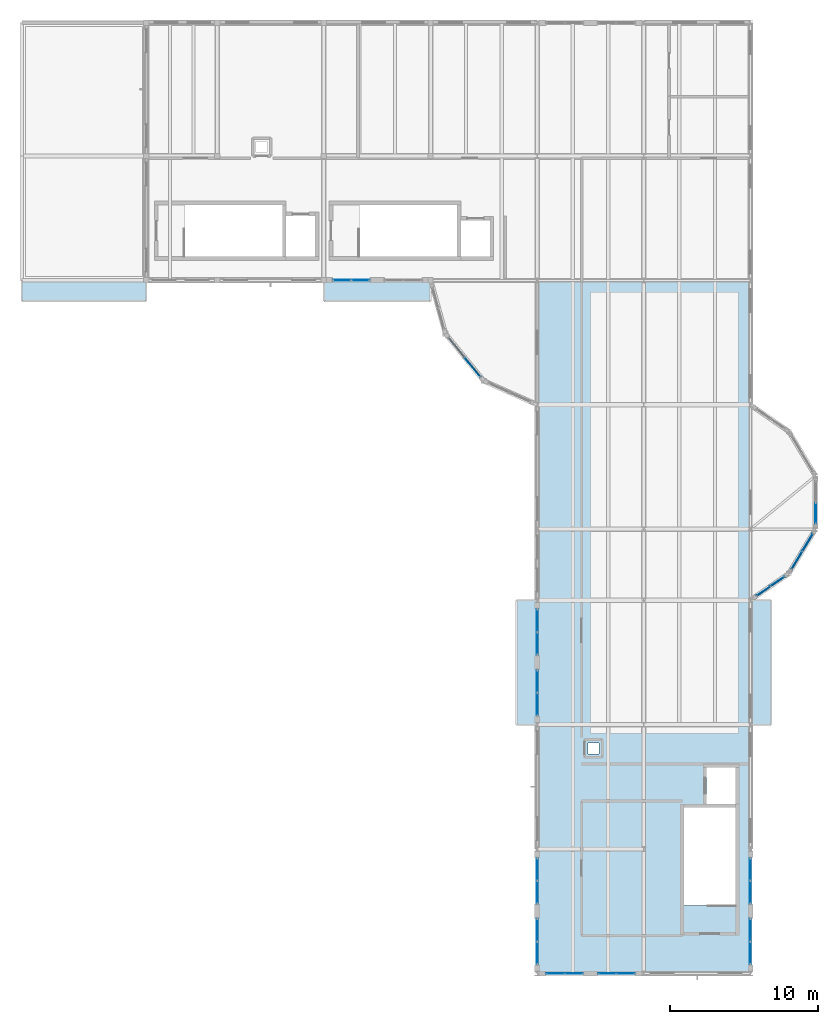
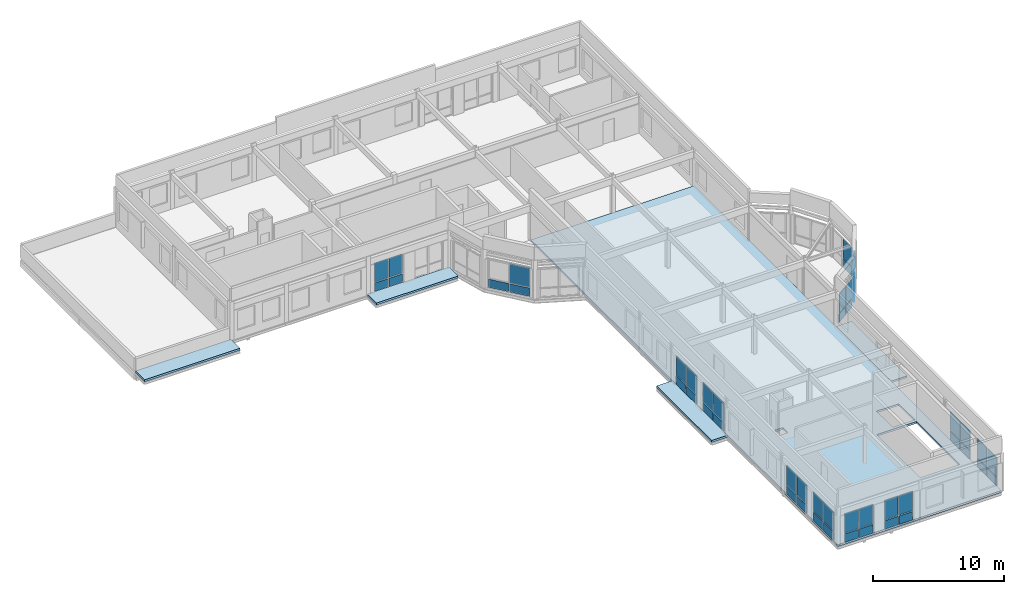
# One storey, part 14 of 21: 49 plates, 5 slabs, 13 elements without a shape of their own.
"""IFC4 building model written with IfcOpenShell, lengths in metres."""

from ifc_helpers import new_model, si_unit, direction, frame, origin, origin_2d, place, context, subcontext, project, spatial, polyline, rectangle, outline, extrude, material, layer, layer_set, type_object, element, aggregate, save


model = new_model("IFC4")

# Units and contexts
model_context = context("Model", 3, precision=1e-05, world=origin(), true_north=direction((0.0, 1.0)))
body_context = subcontext(model_context, "Body", "Model", "MODEL_VIEW")
ifc_project = project(units=[si_unit("LENGTHUNIT", "METRE"), si_unit("AREAUNIT", "SQUARE_METRE"), si_unit("VOLUMEUNIT", "CUBIC_METRE"), si_unit("PLANEANGLEUNIT", "RADIAN"), si_unit("MASSUNIT", "GRAM", prefix="KILO")], contexts=[model_context])

# Site, building, storey
site_placement = place(None, origin())
site = spatial("IfcSite", under=ifc_project, at=site_placement, CompositionType="ELEMENT")
building_placement = place(site_placement, origin())
building = spatial("IfcBuilding", under=site, at=building_placement, Name="Kahlenmark Community Centre", CompositionType="ELEMENT")
storey_placement = place(building_placement, frame((0.0, 0.0, 21.60009765625)))
storey = spatial("IfcBuildingStorey", under=building, at=storey_placement, Name="L05", CompositionType="ELEMENT", Elevation=21.60009765625)

# Curtain wall, plates
ifc_material_1 = material(Name="Anodised aluminium unitised curtain wall", Category="aluminium")
curtain_wall_type_1 = type_object("IfcCurtainWallType", Name="CWT-UNIT-232X271", PredefinedType="USERDEFINED", material=ifc_material_1)
curtain_wall_1_placement = place(storey_placement, origin())
curtain_wall_1 = element("IfcCurtainWall", 1, at=curtain_wall_1_placement, inside=storey, type_object=curtain_wall_type_1, Name="Unitised curtain wall CW-171", ObjectType="UNITISED CURTAIN WALL", PredefinedType="USERDEFINED")
ifc_material_2 = material(Name="Triple low-e solar-control glass unit", Category="glass")
ifc_layer_1 = layer(ifc_material_2, 0.0439453125)
ifc_layer_set_1 = layer_set([ifc_layer_1], Name="Triple low-e solar-control glass unit")
plate_type_1 = type_object("IfcPlateType", Name="PLT-CW-GLZ-1081X1780", PredefinedType="CURTAIN_PANEL", material=ifc_layer_set_1)
plate_1_placement = place(storey_placement, frame((87.6884765625, 76.614990234375, 0.8896484375), z_axis=(0.0, 0.0, 1.0), x_axis=(0.822190736534, 0.56921208065, 0.0)))
plate_1 = element("IfcPlate", 2, at=plate_1_placement, type_object=plate_type_1, Name="CW-171 glazed panel 1", PredefinedType="CURTAIN_PANEL", context=body_context, shape_type="SweptSolid", body=[
    extrude(rectangle(XDim=1.081298828125, YDim=0.0439453125, at=origin_2d()), origin(), (0.0, 0.0, 1.0), 1.780029296875),
])
plate_2_placement = place(storey_placement, frame((88.643310546875, 77.27587890625, 0.8896484375), z_axis=(0.0, 0.0, 1.0), x_axis=(0.822190736534, 0.56921208065, 0.0)))
plate_2 = element("IfcPlate", 3, at=plate_2_placement, type_object=plate_type_1, Name="CW-171 glazed panel 2", PredefinedType="CURTAIN_PANEL", context=body_context, shape_type="SweptSolid", body=[
    extrude(rectangle(XDim=1.081298828125, YDim=0.0439453125, at=origin_2d()), origin(), (0.0, 0.0, 1.0), 1.780029296875),
])

curtain_wall_type_2 = type_object("IfcCurtainWallType", Name="CWT-UNIT-254X271", PredefinedType="USERDEFINED", material=ifc_material_1)
curtain_wall_2_placement = place(storey_placement, origin())
curtain_wall_2 = element("IfcCurtainWall", 4, at=curtain_wall_2_placement, inside=storey, type_object=curtain_wall_type_2, Name="Unitised curtain wall CW-139", ObjectType="UNITISED CURTAIN WALL", PredefinedType="USERDEFINED")
ifc_layer_2 = layer(ifc_material_2, 0.0439453125)
ifc_layer_set_2 = layer_set([ifc_layer_2], Name="Triple low-e solar-control glass unit")
plate_type_2 = type_object("IfcPlateType", Name="PLT-CW-GLZ-1190X1780", PredefinedType="CURTAIN_PANEL", material=ifc_layer_set_2)
plate_3_placement = place(storey_placement, frame((59.215087890625, 97.60009765625, 0.8896484375), z_axis=(0.0, 0.0, 1.0), x_axis=(1.0, 0.0, 0.0)))
plate_3 = element("IfcPlate", 5, at=plate_3_placement, type_object=plate_type_2, Name="CW-139 glazed panel 1", PredefinedType="CURTAIN_PANEL", context=body_context, shape_type="SweptSolid", body=[
    extrude(rectangle(XDim=1.18994140625, YDim=0.0439453125, at=origin_2d()), origin(), (0.0, 0.0, 1.0), 1.780029296875),
])
plate_4_placement = place(storey_placement, frame((60.485107421875, 97.60009765625, 0.8896484375), z_axis=(0.0, 0.0, 1.0), x_axis=(1.0, 0.0, 0.0)))
plate_4 = element("IfcPlate", 6, at=plate_4_placement, type_object=plate_type_2, Name="CW-139 glazed panel 2", PredefinedType="CURTAIN_PANEL", context=body_context, shape_type="SweptSolid", body=[
    extrude(rectangle(XDim=1.18994140625, YDim=0.0439453125, at=origin_2d()), origin(), (0.0, 0.0, 1.0), 1.780029296875),
])

curtain_wall_3_placement = place(storey_placement, origin())
curtain_wall_3 = element("IfcCurtainWall", 7, at=curtain_wall_3_placement, inside=storey, type_object=curtain_wall_type_2, Name="Unitised curtain wall CW-143", ObjectType="UNITISED CURTAIN WALL", PredefinedType="USERDEFINED")
plate_5_placement = place(storey_placement, frame((73.614990234375, 50.800048828125, 0.8896484375), z_axis=(0.0, 0.0, 1.0), x_axis=(1.0, 0.0, 0.0)))
plate_5 = element("IfcPlate", 8, at=plate_5_placement, type_object=plate_type_2, Name="CW-143 glazed panel 1", PredefinedType="CURTAIN_PANEL", context=body_context, shape_type="SweptSolid", body=[
    extrude(rectangle(XDim=1.18994140625, YDim=0.0439453125, at=origin_2d()), origin(), (0.0, 0.0, 1.0), 1.780029296875),
])
plate_6_placement = place(storey_placement, frame((74.885009765625, 50.800048828125, 0.8896484375), z_axis=(0.0, 0.0, 1.0), x_axis=(1.0, 0.0, 0.0)))
plate_6 = element("IfcPlate", 9, at=plate_6_placement, type_object=plate_type_2, Name="CW-143 glazed panel 2", PredefinedType="CURTAIN_PANEL", context=body_context, shape_type="SweptSolid", body=[
    extrude(rectangle(XDim=1.18994140625, YDim=0.0439453125, at=origin_2d()), origin(), (0.0, 0.0, 1.0), 1.780029296875),
])

curtain_wall_4_placement = place(storey_placement, origin())
curtain_wall_4 = element("IfcCurtainWall", 10, at=curtain_wall_4_placement, inside=storey, type_object=curtain_wall_type_2, Name="Unitised curtain wall CW-144", ObjectType="UNITISED CURTAIN WALL", PredefinedType="USERDEFINED")
plate_7_placement = place(storey_placement, frame((77.114990234375, 50.800048828125, 0.8896484375), z_axis=(0.0, 0.0, 1.0), x_axis=(1.0, 0.0, 0.0)))
plate_7 = element("IfcPlate", 11, at=plate_7_placement, type_object=plate_type_2, Name="CW-144 glazed panel 1", PredefinedType="CURTAIN_PANEL", context=body_context, shape_type="SweptSolid", body=[
    extrude(rectangle(XDim=1.18994140625, YDim=0.0439453125, at=origin_2d()), origin(), (0.0, 0.0, 1.0), 1.780029296875),
])
plate_8_placement = place(storey_placement, frame((78.385009765625, 50.800048828125, 0.8896484375), z_axis=(0.0, 0.0, 1.0), x_axis=(1.0, 0.0, 0.0)))
plate_8 = element("IfcPlate", 12, at=plate_8_placement, type_object=plate_type_2, Name="CW-144 glazed panel 2", PredefinedType="CURTAIN_PANEL", context=body_context, shape_type="SweptSolid", body=[
    extrude(rectangle(XDim=1.18994140625, YDim=0.0439453125, at=origin_2d()), origin(), (0.0, 0.0, 1.0), 1.780029296875),
])

curtain_wall_type_3 = type_object("IfcCurtainWallType", Name="CWT-UNIT-282X271", PredefinedType="USERDEFINED", material=ifc_material_1)
curtain_wall_5_placement = place(storey_placement, origin())
curtain_wall_5 = element("IfcCurtainWall", 13, at=curtain_wall_5_placement, inside=storey, type_object=curtain_wall_type_3, Name="Unitised curtain wall CW-172", ObjectType="UNITISED CURTAIN WALL", PredefinedType="USERDEFINED")
ifc_layer_3 = layer(ifc_material_2, 0.0439453125)
ifc_layer_set_3 = layer_set([ifc_layer_3], Name="Triple low-e solar-control glass unit")
plate_type_3 = type_object("IfcPlateType", Name="PLT-CW-GLZ-1329X1780", PredefinedType="CURTAIN_PANEL", material=ifc_layer_set_3)
plate_9_placement = place(storey_placement, frame((89.9375, 78.69580078125, 0.8896484375), z_axis=(0.0, 0.0, 1.0), x_axis=(0.514496405972, 0.857492535386, 0.0)))
plate_9 = element("IfcPlate", 14, at=plate_9_placement, type_object=plate_type_3, Name="CW-172 glazed panel 1", PredefinedType="CURTAIN_PANEL", context=body_context, shape_type="SweptSolid", body=[
    extrude(rectangle(XDim=1.329345703125, YDim=0.0439453125, at=origin_2d()), origin(), (0.0, 0.0, 1.0), 1.780029296875),
])
plate_10_placement = place(storey_placement, frame((90.66259765625, 79.904296875, 0.8896484375), z_axis=(0.0, 0.0, 1.0), x_axis=(0.514496405972, 0.857492535386, 0.0)))
plate_10 = element("IfcPlate", 15, at=plate_10_placement, type_object=plate_type_3, Name="CW-172 glazed panel 2", PredefinedType="CURTAIN_PANEL", context=body_context, shape_type="SweptSolid", body=[
    extrude(rectangle(XDim=1.329345703125, YDim=0.0439453125, at=origin_2d()), origin(), (0.0, 0.0, 1.0), 1.780029296875),
])

# Curtain wall, plate
curtain_wall_type_4 = type_object("IfcCurtainWallType", Name="CWT-UNIT-292X271", PredefinedType="USERDEFINED", material=ifc_material_1)
curtain_wall_6_placement = place(storey_placement, origin())
curtain_wall_6 = element("IfcCurtainWall", 16, at=curtain_wall_6_placement, inside=storey, type_object=curtain_wall_type_4, Name="Unitised curtain wall CW-173", ObjectType="UNITISED CURTAIN WALL", PredefinedType="USERDEFINED")
ifc_layer_4 = layer(ifc_material_2, 0.0439453125)
ifc_layer_set_4 = layer_set([ifc_layer_4], Name="Triple low-e solar-control glass unit")
plate_type_4 = type_object("IfcPlateType", Name="PLT-CW-GLZ-1380X1780", PredefinedType="CURTAIN_PANEL", material=ifc_layer_set_4)
plate_11_placement = place(storey_placement, frame((91.199951171875, 81.8701171875, 0.8896484375), z_axis=(0.0, 0.0, 1.0), x_axis=(0.0, 1.0, 0.0)))
plate_11 = element("IfcPlate", 17, at=plate_11_placement, type_object=plate_type_4, Name="CW-173 glazed panel 1", PredefinedType="CURTAIN_PANEL", context=body_context, shape_type="SweptSolid", body=[
    extrude(rectangle(XDim=1.3798828125, YDim=0.0439453125, at=origin_2d()), origin(), (0.0, 0.0, 1.0), 1.780029296875),
])

# Curtain wall, plates
curtain_wall_type_5 = type_object("IfcCurtainWallType", Name="CWT-UNIT-314X271", PredefinedType="USERDEFINED", material=ifc_material_1)
curtain_wall_7_placement = place(storey_placement, origin())
curtain_wall_7 = element("IfcCurtainWall", 18, at=curtain_wall_7_placement, inside=storey, type_object=curtain_wall_type_5, Name="Unitised curtain wall CW-145", ObjectType="UNITISED CURTAIN WALL", PredefinedType="USERDEFINED")
ifc_layer_5 = layer(ifc_material_2, 0.0439453125)
ifc_layer_set_5 = layer_set([ifc_layer_5], Name="Triple low-e solar-control glass unit")
plate_type_5 = type_object("IfcPlateType", Name="PLT-CW-GLZ-1490X1780", PredefinedType="CURTAIN_PANEL", material=ifc_layer_set_5)
plate_12_placement = place(storey_placement, frame((72.39990234375, 57.8349609375, 0.8896484375), z_axis=(0.0, 0.0, 1.0), x_axis=(0.0, -1.0, 0.0)))
plate_12 = element("IfcPlate", 19, at=plate_12_placement, type_object=plate_type_5, Name="CW-145 glazed panel 1", PredefinedType="CURTAIN_PANEL", context=body_context, shape_type="SweptSolid", body=[
    extrude(rectangle(XDim=1.489990234375, YDim=0.0439453125, at=origin_2d()), origin(), (0.0, 0.0, 1.0), 1.780029296875),
])
plate_13_placement = place(storey_placement, frame((72.39990234375, 56.264892578125, 0.8896484375), z_axis=(0.0, 0.0, 1.0), x_axis=(0.0, -1.0, 0.0)))
plate_13 = element("IfcPlate", 20, at=plate_13_placement, type_object=plate_type_5, Name="CW-145 glazed panel 2", PredefinedType="CURTAIN_PANEL", context=body_context, shape_type="SweptSolid", body=[
    extrude(rectangle(XDim=1.489990234375, YDim=0.0439453125, at=origin_2d()), origin(), (0.0, 0.0, 1.0), 1.780029296875),
])

curtain_wall_8_placement = place(storey_placement, origin())
curtain_wall_8 = element("IfcCurtainWall", 21, at=curtain_wall_8_placement, inside=storey, type_object=curtain_wall_type_5, Name="Unitised curtain wall CW-146", ObjectType="UNITISED CURTAIN WALL", PredefinedType="USERDEFINED")
plate_14_placement = place(storey_placement, frame((72.39990234375, 53.735107421875, 0.8896484375), z_axis=(0.0, 0.0, 1.0), x_axis=(0.0, -1.0, 0.0)))
plate_14 = element("IfcPlate", 22, at=plate_14_placement, type_object=plate_type_5, Name="CW-146 glazed panel 1", PredefinedType="CURTAIN_PANEL", context=body_context, shape_type="SweptSolid", body=[
    extrude(rectangle(XDim=1.489990234375, YDim=0.0439453125, at=origin_2d()), origin(), (0.0, 0.0, 1.0), 1.780029296875),
])
plate_15_placement = place(storey_placement, frame((72.39990234375, 52.1650390625, 0.8896484375), z_axis=(0.0, 0.0, 1.0), x_axis=(0.0, -1.0, 0.0)))
plate_15 = element("IfcPlate", 23, at=plate_15_placement, type_object=plate_type_5, Name="CW-146 glazed panel 2", PredefinedType="CURTAIN_PANEL", context=body_context, shape_type="SweptSolid", body=[
    extrude(rectangle(XDim=1.489990234375, YDim=0.0439453125, at=origin_2d()), origin(), (0.0, 0.0, 1.0), 1.780029296875),
])

curtain_wall_9_placement = place(storey_placement, origin())
curtain_wall_9 = element("IfcCurtainWall", 24, at=curtain_wall_9_placement, inside=storey, type_object=curtain_wall_type_5, Name="Unitised curtain wall CW-147", ObjectType="UNITISED CURTAIN WALL", PredefinedType="USERDEFINED")
plate_16_placement = place(storey_placement, frame((72.39990234375, 74.635009765625, 0.8896484375), z_axis=(0.0, 0.0, 1.0), x_axis=(0.0, -1.0, 0.0)))
plate_16 = element("IfcPlate", 25, at=plate_16_placement, type_object=plate_type_5, Name="CW-147 glazed panel 1", PredefinedType="CURTAIN_PANEL", context=body_context, shape_type="SweptSolid", body=[
    extrude(rectangle(XDim=1.489990234375, YDim=0.0439453125, at=origin_2d()), origin(), (0.0, 0.0, 1.0), 1.780029296875),
])
plate_17_placement = place(storey_placement, frame((72.39990234375, 73.06494140625, 0.8896484375), z_axis=(0.0, 0.0, 1.0), x_axis=(0.0, -1.0, 0.0)))
plate_17 = element("IfcPlate", 26, at=plate_17_placement, type_object=plate_type_5, Name="CW-147 glazed panel 2", PredefinedType="CURTAIN_PANEL", context=body_context, shape_type="SweptSolid", body=[
    extrude(rectangle(XDim=1.489990234375, YDim=0.0439453125, at=origin_2d()), origin(), (0.0, 0.0, 1.0), 1.780029296875),
])

curtain_wall_10_placement = place(storey_placement, origin())
curtain_wall_10 = element("IfcCurtainWall", 27, at=curtain_wall_10_placement, inside=storey, type_object=curtain_wall_type_5, Name="Unitised curtain wall CW-148", ObjectType="UNITISED CURTAIN WALL", PredefinedType="USERDEFINED")
plate_18_placement = place(storey_placement, frame((72.39990234375, 70.534912109375, 0.8896484375), z_axis=(0.0, 0.0, 1.0), x_axis=(0.0, -1.0, 0.0)))
plate_18 = element("IfcPlate", 28, at=plate_18_placement, type_object=plate_type_5, Name="CW-148 glazed panel 1", PredefinedType="CURTAIN_PANEL", context=body_context, shape_type="SweptSolid", body=[
    extrude(rectangle(XDim=1.489990234375, YDim=0.0439453125, at=origin_2d()), origin(), (0.0, 0.0, 1.0), 1.780029296875),
])
plate_19_placement = place(storey_placement, frame((72.39990234375, 68.965087890625, 0.8896484375), z_axis=(0.0, 0.0, 1.0), x_axis=(0.0, -1.0, 0.0)))
plate_19 = element("IfcPlate", 29, at=plate_19_placement, type_object=plate_type_5, Name="CW-148 glazed panel 2", PredefinedType="CURTAIN_PANEL", context=body_context, shape_type="SweptSolid", body=[
    extrude(rectangle(XDim=1.489990234375, YDim=0.0439453125, at=origin_2d()), origin(), (0.0, 0.0, 1.0), 1.780029296875),
])

curtain_wall_11_placement = place(storey_placement, origin())
curtain_wall_11 = element("IfcCurtainWall", 30, at=curtain_wall_11_placement, inside=storey, type_object=curtain_wall_type_5, Name="Unitised curtain wall CW-149", ObjectType="UNITISED CURTAIN WALL", PredefinedType="USERDEFINED")
plate_20_placement = place(storey_placement, frame((86.800048828125, 52.1650390625, 0.8896484375), z_axis=(0.0, 0.0, 1.0), x_axis=(0.0, 1.0, 0.0)))
plate_20 = element("IfcPlate", 31, at=plate_20_placement, type_object=plate_type_5, Name="CW-149 glazed panel 1", PredefinedType="CURTAIN_PANEL", context=body_context, shape_type="SweptSolid", body=[
    extrude(rectangle(XDim=1.489990234375, YDim=0.0439453125, at=origin_2d()), origin(), (0.0, 0.0, 1.0), 1.780029296875),
])
plate_21_placement = place(storey_placement, frame((86.800048828125, 53.735107421875, 0.8896484375), z_axis=(0.0, 0.0, 1.0), x_axis=(0.0, 1.0, 0.0)))
plate_21 = element("IfcPlate", 32, at=plate_21_placement, type_object=plate_type_5, Name="CW-149 glazed panel 2", PredefinedType="CURTAIN_PANEL", context=body_context, shape_type="SweptSolid", body=[
    extrude(rectangle(XDim=1.489990234375, YDim=0.0439453125, at=origin_2d()), origin(), (0.0, 0.0, 1.0), 1.780029296875),
])

curtain_wall_12_placement = place(storey_placement, origin())
curtain_wall_12 = element("IfcCurtainWall", 33, at=curtain_wall_12_placement, inside=storey, type_object=curtain_wall_type_5, Name="Unitised curtain wall CW-150", ObjectType="UNITISED CURTAIN WALL", PredefinedType="USERDEFINED")
plate_22_placement = place(storey_placement, frame((86.800048828125, 56.264892578125, 0.8896484375), z_axis=(0.0, 0.0, 1.0), x_axis=(0.0, 1.0, 0.0)))
plate_22 = element("IfcPlate", 34, at=plate_22_placement, type_object=plate_type_5, Name="CW-150 glazed panel 1", PredefinedType="CURTAIN_PANEL", context=body_context, shape_type="SweptSolid", body=[
    extrude(rectangle(XDim=1.489990234375, YDim=0.0439453125, at=origin_2d()), origin(), (0.0, 0.0, 1.0), 1.780029296875),
])
plate_23_placement = place(storey_placement, frame((86.800048828125, 57.8349609375, 0.8896484375), z_axis=(0.0, 0.0, 1.0), x_axis=(0.0, 1.0, 0.0)))
plate_23 = element("IfcPlate", 35, at=plate_23_placement, type_object=plate_type_5, Name="CW-150 glazed panel 2", PredefinedType="CURTAIN_PANEL", context=body_context, shape_type="SweptSolid", body=[
    extrude(rectangle(XDim=1.489990234375, YDim=0.0439453125, at=origin_2d()), origin(), (0.0, 0.0, 1.0), 1.780029296875),
])

# Curtain wall, plate
curtain_wall_type_6 = type_object("IfcCurtainWallType", Name="CWT-UNIT-344X271", PredefinedType="USERDEFINED", material=ifc_material_1)
curtain_wall_13_placement = place(storey_placement, origin())
curtain_wall_13 = element("IfcCurtainWall", 36, at=curtain_wall_13_placement, inside=storey, type_object=curtain_wall_type_6, Name="Unitised curtain wall CW-189", ObjectType="UNITISED CURTAIN WALL", PredefinedType="USERDEFINED")
ifc_layer_6 = layer(ifc_material_2, 0.0439453125)
ifc_layer_set_6 = layer_set([ifc_layer_6], Name="Triple low-e solar-control glass unit")
plate_type_6 = type_object("IfcPlateType", Name="PLT-CW-GLZ-1642X1780", PredefinedType="CURTAIN_PANEL", material=ifc_layer_set_6)
plate_24_placement = place(storey_placement, frame((68.042724609375, 91.73193359375, 0.8896484375), z_axis=(0.0, 0.0, 1.0), x_axis=(0.63059860029, -0.776109145231, 0.0)))
plate_24 = element("IfcPlate", 37, at=plate_24_placement, type_object=plate_type_6, Name="CW-189 glazed panel 2", PredefinedType="CURTAIN_PANEL", context=body_context, shape_type="SweptSolid", body=[
    extrude(rectangle(XDim=1.6416015625, YDim=0.0439453125, at=origin_2d()), origin(), (0.0, 0.0, 1.0), 1.780029296875),
])

# Plate
ifc_material_3 = material(Name="Warm terracotta insulated spandrel cassette", Category="masonry")
ifc_layer_7 = layer(ifc_material_3, 0.06005859375)
ifc_layer_set_7 = layer_set([ifc_layer_7], Name="Warm terracotta insulated spandrel cassette")
plate_type_7 = type_object("IfcPlateType", Name="PLT-CW-SPD-1081X770", PredefinedType="CURTAIN_PANEL", material=ifc_layer_set_7)
plate_25_placement = place(storey_placement, frame((87.6884765625, 76.614990234375, 0.039794921875), z_axis=(0.0, 0.0, 1.0), x_axis=(0.822190736534, 0.56921208065, 0.0)))
plate_25 = element("IfcPlate", 38, at=plate_25_placement, type_object=plate_type_7, Name="CW-171 spandrel 1", PredefinedType="CURTAIN_PANEL", context=body_context, shape_type="SweptSolid", body=[
    extrude(rectangle(XDim=1.081298828125, YDim=0.06005859375, at=origin_2d()), origin(), (0.0, 0.0, 1.0), 0.77001953125),
])

plate_26_placement = place(storey_placement, frame((88.643310546875, 77.27587890625, 0.039794921875), z_axis=(0.0, 0.0, 1.0), x_axis=(0.822190736534, 0.56921208065, 0.0)))
plate_26 = element("IfcPlate", 39, at=plate_26_placement, type_object=plate_type_7, Name="CW-171 spandrel 2", PredefinedType="CURTAIN_PANEL", context=body_context, shape_type="SweptSolid", body=[
    extrude(rectangle(XDim=1.081298828125, YDim=0.06005859375, at=origin_2d()), origin(), (0.0, 0.0, 1.0), 0.77001953125),
])

aggregate(curtain_wall_1, [plate_25, plate_1, plate_26, plate_2])

ifc_layer_8 = layer(ifc_material_3, 0.06005859375)
ifc_layer_set_8 = layer_set([ifc_layer_8], Name="Warm terracotta insulated spandrel cassette")
plate_type_8 = type_object("IfcPlateType", Name="PLT-CW-SPD-1190X770", PredefinedType="CURTAIN_PANEL", material=ifc_layer_set_8)
plate_27_placement = place(storey_placement, frame((59.215087890625, 97.60009765625, 0.039794921875), z_axis=(0.0, 0.0, 1.0), x_axis=(1.0, 0.0, 0.0)))
plate_27 = element("IfcPlate", 40, at=plate_27_placement, type_object=plate_type_8, Name="CW-139 spandrel 1", PredefinedType="CURTAIN_PANEL", context=body_context, shape_type="SweptSolid", body=[
    extrude(rectangle(XDim=1.18994140625, YDim=0.06005859375, at=origin_2d()), origin(), (0.0, 0.0, 1.0), 0.77001953125),
])

plate_28_placement = place(storey_placement, frame((60.485107421875, 97.60009765625, 0.039794921875), z_axis=(0.0, 0.0, 1.0), x_axis=(1.0, 0.0, 0.0)))
plate_28 = element("IfcPlate", 41, at=plate_28_placement, type_object=plate_type_8, Name="CW-139 spandrel 2", PredefinedType="CURTAIN_PANEL", context=body_context, shape_type="SweptSolid", body=[
    extrude(rectangle(XDim=1.18994140625, YDim=0.06005859375, at=origin_2d()), origin(), (0.0, 0.0, 1.0), 0.77001953125),
])

aggregate(curtain_wall_2, [plate_27, plate_3, plate_28, plate_4])

plate_29_placement = place(storey_placement, frame((73.614990234375, 50.800048828125, 0.039794921875), z_axis=(0.0, 0.0, 1.0), x_axis=(1.0, 0.0, 0.0)))
plate_29 = element("IfcPlate", 42, at=plate_29_placement, type_object=plate_type_8, Name="CW-143 spandrel 1", PredefinedType="CURTAIN_PANEL", context=body_context, shape_type="SweptSolid", body=[
    extrude(rectangle(XDim=1.18994140625, YDim=0.06005859375, at=origin_2d()), origin(), (0.0, 0.0, 1.0), 0.77001953125),
])

plate_30_placement = place(storey_placement, frame((74.885009765625, 50.800048828125, 0.039794921875), z_axis=(0.0, 0.0, 1.0), x_axis=(1.0, 0.0, 0.0)))
plate_30 = element("IfcPlate", 43, at=plate_30_placement, type_object=plate_type_8, Name="CW-143 spandrel 2", PredefinedType="CURTAIN_PANEL", context=body_context, shape_type="SweptSolid", body=[
    extrude(rectangle(XDim=1.18994140625, YDim=0.06005859375, at=origin_2d()), origin(), (0.0, 0.0, 1.0), 0.77001953125),
])

aggregate(curtain_wall_3, [plate_29, plate_5, plate_30, plate_6])

plate_31_placement = place(storey_placement, frame((77.114990234375, 50.800048828125, 0.039794921875), z_axis=(0.0, 0.0, 1.0), x_axis=(1.0, 0.0, 0.0)))
plate_31 = element("IfcPlate", 44, at=plate_31_placement, type_object=plate_type_8, Name="CW-144 spandrel 1", PredefinedType="CURTAIN_PANEL", context=body_context, shape_type="SweptSolid", body=[
    extrude(rectangle(XDim=1.18994140625, YDim=0.06005859375, at=origin_2d()), origin(), (0.0, 0.0, 1.0), 0.77001953125),
])

plate_32_placement = place(storey_placement, frame((78.385009765625, 50.800048828125, 0.039794921875), z_axis=(0.0, 0.0, 1.0), x_axis=(1.0, 0.0, 0.0)))
plate_32 = element("IfcPlate", 45, at=plate_32_placement, type_object=plate_type_8, Name="CW-144 spandrel 2", PredefinedType="CURTAIN_PANEL", context=body_context, shape_type="SweptSolid", body=[
    extrude(rectangle(XDim=1.18994140625, YDim=0.06005859375, at=origin_2d()), origin(), (0.0, 0.0, 1.0), 0.77001953125),
])

aggregate(curtain_wall_4, [plate_31, plate_7, plate_32, plate_8])

ifc_layer_9 = layer(ifc_material_3, 0.06005859375)
ifc_layer_set_9 = layer_set([ifc_layer_9], Name="Warm terracotta insulated spandrel cassette")
plate_type_9 = type_object("IfcPlateType", Name="PLT-CW-SPD-1329X770", PredefinedType="CURTAIN_PANEL", material=ifc_layer_set_9)
plate_33_placement = place(storey_placement, frame((89.9375, 78.69580078125, 0.039794921875), z_axis=(0.0, 0.0, 1.0), x_axis=(0.514496405972, 0.857492535386, 0.0)))
plate_33 = element("IfcPlate", 46, at=plate_33_placement, type_object=plate_type_9, Name="CW-172 spandrel 1", PredefinedType="CURTAIN_PANEL", context=body_context, shape_type="SweptSolid", body=[
    extrude(rectangle(XDim=1.329345703125, YDim=0.06005859375, at=origin_2d()), origin(), (0.0, 0.0, 1.0), 0.77001953125),
])

plate_34_placement = place(storey_placement, frame((90.66259765625, 79.904296875, 0.039794921875), z_axis=(0.0, 0.0, 1.0), x_axis=(0.514496405972, 0.857492535386, 0.0)))
plate_34 = element("IfcPlate", 47, at=plate_34_placement, type_object=plate_type_9, Name="CW-172 spandrel 2", PredefinedType="CURTAIN_PANEL", context=body_context, shape_type="SweptSolid", body=[
    extrude(rectangle(XDim=1.329345703125, YDim=0.06005859375, at=origin_2d()), origin(), (0.0, 0.0, 1.0), 0.77001953125),
])

aggregate(curtain_wall_5, [plate_33, plate_9, plate_34, plate_10])

ifc_layer_10 = layer(ifc_material_3, 0.06005859375)
ifc_layer_set_10 = layer_set([ifc_layer_10], Name="Warm terracotta insulated spandrel cassette")
plate_type_10 = type_object("IfcPlateType", Name="PLT-CW-SPD-1380X770", PredefinedType="CURTAIN_PANEL", material=ifc_layer_set_10)
plate_35_placement = place(storey_placement, frame((91.199951171875, 81.8701171875, 0.039794921875), z_axis=(0.0, 0.0, 1.0), x_axis=(0.0, 1.0, 0.0)))
plate_35 = element("IfcPlate", 48, at=plate_35_placement, type_object=plate_type_10, Name="CW-173 spandrel 1", PredefinedType="CURTAIN_PANEL", context=body_context, shape_type="SweptSolid", body=[
    extrude(rectangle(XDim=1.3798828125, YDim=0.06005859375, at=origin_2d()), origin(), (0.0, 0.0, 1.0), 0.77001953125),
])

aggregate(curtain_wall_6, [plate_35, plate_11])

ifc_layer_11 = layer(ifc_material_3, 0.06005859375)
ifc_layer_set_11 = layer_set([ifc_layer_11], Name="Warm terracotta insulated spandrel cassette")
plate_type_11 = type_object("IfcPlateType", Name="PLT-CW-SPD-1490X770", PredefinedType="CURTAIN_PANEL", material=ifc_layer_set_11)
plate_36_placement = place(storey_placement, frame((72.39990234375, 57.8349609375, 0.039794921875), z_axis=(0.0, 0.0, 1.0), x_axis=(0.0, -1.0, 0.0)))
plate_36 = element("IfcPlate", 49, at=plate_36_placement, type_object=plate_type_11, Name="CW-145 spandrel 1", PredefinedType="CURTAIN_PANEL", context=body_context, shape_type="SweptSolid", body=[
    extrude(rectangle(XDim=1.489990234375, YDim=0.06005859375, at=origin_2d()), origin(), (0.0, 0.0, 1.0), 0.77001953125),
])

plate_37_placement = place(storey_placement, frame((72.39990234375, 56.264892578125, 0.039794921875), z_axis=(0.0, 0.0, 1.0), x_axis=(0.0, -1.0, 0.0)))
plate_37 = element("IfcPlate", 50, at=plate_37_placement, type_object=plate_type_11, Name="CW-145 spandrel 2", PredefinedType="CURTAIN_PANEL", context=body_context, shape_type="SweptSolid", body=[
    extrude(rectangle(XDim=1.489990234375, YDim=0.06005859375, at=origin_2d()), origin(), (0.0, 0.0, 1.0), 0.77001953125),
])

aggregate(curtain_wall_7, [plate_36, plate_12, plate_37, plate_13])

plate_38_placement = place(storey_placement, frame((72.39990234375, 53.735107421875, 0.039794921875), z_axis=(0.0, 0.0, 1.0), x_axis=(0.0, -1.0, 0.0)))
plate_38 = element("IfcPlate", 51, at=plate_38_placement, type_object=plate_type_11, Name="CW-146 spandrel 1", PredefinedType="CURTAIN_PANEL", context=body_context, shape_type="SweptSolid", body=[
    extrude(rectangle(XDim=1.489990234375, YDim=0.06005859375, at=origin_2d()), origin(), (0.0, 0.0, 1.0), 0.77001953125),
])

plate_39_placement = place(storey_placement, frame((72.39990234375, 52.1650390625, 0.039794921875), z_axis=(0.0, 0.0, 1.0), x_axis=(0.0, -1.0, 0.0)))
plate_39 = element("IfcPlate", 52, at=plate_39_placement, type_object=plate_type_11, Name="CW-146 spandrel 2", PredefinedType="CURTAIN_PANEL", context=body_context, shape_type="SweptSolid", body=[
    extrude(rectangle(XDim=1.489990234375, YDim=0.06005859375, at=origin_2d()), origin(), (0.0, 0.0, 1.0), 0.77001953125),
])

aggregate(curtain_wall_8, [plate_38, plate_14, plate_39, plate_15])

plate_40_placement = place(storey_placement, frame((72.39990234375, 74.635009765625, 0.039794921875), z_axis=(0.0, 0.0, 1.0), x_axis=(0.0, -1.0, 0.0)))
plate_40 = element("IfcPlate", 53, at=plate_40_placement, type_object=plate_type_11, Name="CW-147 spandrel 1", PredefinedType="CURTAIN_PANEL", context=body_context, shape_type="SweptSolid", body=[
    extrude(rectangle(XDim=1.489990234375, YDim=0.06005859375, at=origin_2d()), origin(), (0.0, 0.0, 1.0), 0.77001953125),
])

plate_41_placement = place(storey_placement, frame((72.39990234375, 73.06494140625, 0.039794921875), z_axis=(0.0, 0.0, 1.0), x_axis=(0.0, -1.0, 0.0)))
plate_41 = element("IfcPlate", 54, at=plate_41_placement, type_object=plate_type_11, Name="CW-147 spandrel 2", PredefinedType="CURTAIN_PANEL", context=body_context, shape_type="SweptSolid", body=[
    extrude(rectangle(XDim=1.489990234375, YDim=0.06005859375, at=origin_2d()), origin(), (0.0, 0.0, 1.0), 0.77001953125),
])

aggregate(curtain_wall_9, [plate_40, plate_16, plate_41, plate_17])

plate_42_placement = place(storey_placement, frame((72.39990234375, 70.534912109375, 0.039794921875), z_axis=(0.0, 0.0, 1.0), x_axis=(0.0, -1.0, 0.0)))
plate_42 = element("IfcPlate", 55, at=plate_42_placement, type_object=plate_type_11, Name="CW-148 spandrel 1", PredefinedType="CURTAIN_PANEL", context=body_context, shape_type="SweptSolid", body=[
    extrude(rectangle(XDim=1.489990234375, YDim=0.06005859375, at=origin_2d()), origin(), (0.0, 0.0, 1.0), 0.77001953125),
])

plate_43_placement = place(storey_placement, frame((72.39990234375, 68.965087890625, 0.039794921875), z_axis=(0.0, 0.0, 1.0), x_axis=(0.0, -1.0, 0.0)))
plate_43 = element("IfcPlate", 56, at=plate_43_placement, type_object=plate_type_11, Name="CW-148 spandrel 2", PredefinedType="CURTAIN_PANEL", context=body_context, shape_type="SweptSolid", body=[
    extrude(rectangle(XDim=1.489990234375, YDim=0.06005859375, at=origin_2d()), origin(), (0.0, 0.0, 1.0), 0.77001953125),
])

aggregate(curtain_wall_10, [plate_42, plate_18, plate_43, plate_19])

plate_44_placement = place(storey_placement, frame((86.800048828125, 52.1650390625, 0.039794921875), z_axis=(0.0, 0.0, 1.0), x_axis=(0.0, 1.0, 0.0)))
plate_44 = element("IfcPlate", 57, at=plate_44_placement, type_object=plate_type_11, Name="CW-149 spandrel 1", PredefinedType="CURTAIN_PANEL", context=body_context, shape_type="SweptSolid", body=[
    extrude(rectangle(XDim=1.489990234375, YDim=0.06005859375, at=origin_2d()), origin(), (0.0, 0.0, 1.0), 0.77001953125),
])

plate_45_placement = place(storey_placement, frame((86.800048828125, 53.735107421875, 0.039794921875), z_axis=(0.0, 0.0, 1.0), x_axis=(0.0, 1.0, 0.0)))
plate_45 = element("IfcPlate", 58, at=plate_45_placement, type_object=plate_type_11, Name="CW-149 spandrel 2", PredefinedType="CURTAIN_PANEL", context=body_context, shape_type="SweptSolid", body=[
    extrude(rectangle(XDim=1.489990234375, YDim=0.06005859375, at=origin_2d()), origin(), (0.0, 0.0, 1.0), 0.77001953125),
])

aggregate(curtain_wall_11, [plate_44, plate_20, plate_45, plate_21])

plate_46_placement = place(storey_placement, frame((86.800048828125, 56.264892578125, 0.039794921875), z_axis=(0.0, 0.0, 1.0), x_axis=(0.0, 1.0, 0.0)))
plate_46 = element("IfcPlate", 59, at=plate_46_placement, type_object=plate_type_11, Name="CW-150 spandrel 1", PredefinedType="CURTAIN_PANEL", context=body_context, shape_type="SweptSolid", body=[
    extrude(rectangle(XDim=1.489990234375, YDim=0.06005859375, at=origin_2d()), origin(), (0.0, 0.0, 1.0), 0.77001953125),
])

plate_47_placement = place(storey_placement, frame((86.800048828125, 57.8349609375, 0.039794921875), z_axis=(0.0, 0.0, 1.0), x_axis=(0.0, 1.0, 0.0)))
plate_47 = element("IfcPlate", 60, at=plate_47_placement, type_object=plate_type_11, Name="CW-150 spandrel 2", PredefinedType="CURTAIN_PANEL", context=body_context, shape_type="SweptSolid", body=[
    extrude(rectangle(XDim=1.489990234375, YDim=0.06005859375, at=origin_2d()), origin(), (0.0, 0.0, 1.0), 0.77001953125),
])

aggregate(curtain_wall_12, [plate_46, plate_22, plate_47, plate_23])

ifc_layer_12 = layer(ifc_material_3, 0.06005859375)
ifc_layer_set_12 = layer_set([ifc_layer_12], Name="Warm terracotta insulated spandrel cassette")
plate_type_12 = type_object("IfcPlateType", Name="PLT-CW-SPD-1642X770", PredefinedType="CURTAIN_PANEL", material=ifc_layer_set_12)
plate_48_placement = place(storey_placement, frame((66.957275390625, 93.068115234375, 0.039794921875), z_axis=(0.0, 0.0, 1.0), x_axis=(0.63059860029, -0.776109145231, 0.0)))
plate_48 = element("IfcPlate", 61, at=plate_48_placement, type_object=plate_type_12, Name="CW-189 spandrel 1", PredefinedType="CURTAIN_PANEL", context=body_context, shape_type="SweptSolid", body=[
    extrude(rectangle(XDim=1.6416015625, YDim=0.06005859375, at=origin_2d()), origin(), (0.0, 0.0, 1.0), 0.77001953125),
])

plate_49_placement = place(storey_placement, frame((68.042724609375, 91.73193359375, 0.039794921875), z_axis=(0.0, 0.0, 1.0), x_axis=(0.63059860029, -0.776109145231, 0.0)))
plate_49 = element("IfcPlate", 62, at=plate_49_placement, type_object=plate_type_12, Name="CW-189 spandrel 2", PredefinedType="CURTAIN_PANEL", context=body_context, shape_type="SweptSolid", body=[
    extrude(rectangle(XDim=1.6416015625, YDim=0.06005859375, at=origin_2d()), origin(), (0.0, 0.0, 1.0), 0.77001953125),
])

aggregate(curtain_wall_13, [plate_48, plate_49, plate_24])

# Slabs
ifc_material_4 = material(Name="Cross-laminated timber CLT C24", Category="wood")
ifc_layer_13 = layer(ifc_material_4, 0.179931640625)
ifc_layer_set_13 = layer_set([ifc_layer_13], Name="Cross-laminated timber CLT C24")
slab_type_1 = type_object("IfcSlabType", Name="ST-FL-CLT180", PredefinedType="FLOOR", material=ifc_layer_set_13)
slab_1_placement = place(storey_placement, frame((0.0, 0.0, -0.18017578125)))
element("IfcSlab", 63, at=slab_1_placement, inside=storey, type_object=slab_type_1, Name="L05 suspended floor slab V4C", PredefinedType="FLOOR", context=body_context, shape_type="SweptSolid", body=[
    extrude(outline(polyline([(72.39990234375, 50.800048828125), (86.800048828125, 50.800048828125), (86.800048828125, 97.60009765625), (72.39990234375, 97.60009765625), (72.39990234375, 50.800048828125)]), holes=[polyline([(82.305908203125, 55.406005859375), (85.7939453125, 55.406005859375), (85.7939453125, 61.993896484375), (82.305908203125, 61.993896484375), (82.305908203125, 55.406005859375)]), polyline([(83.845947265625, 62.256103515625), (85.7939453125, 62.256103515625), (85.7939453125, 64.7041015625), (83.845947265625, 64.7041015625), (83.845947265625, 62.256103515625)]), polyline([(75.825927734375, 65.6259765625), (76.573974609375, 65.6259765625), (76.573974609375, 66.3740234375), (75.825927734375, 66.3740234375), (75.825927734375, 65.6259765625)])]), origin(), (0.0, 0.0, 1.0), 0.18017578125),
])
ifc_layer_14 = layer(ifc_material_4, 0.179931640625)
ifc_layer_set_14 = layer_set([ifc_layer_14], Name="Cross-laminated timber CLT C24")
slab_type_2 = type_object("IfcSlabType", Name="ST-RF-ORI180", PredefinedType="ROOF", material=ifc_layer_set_14)
slab_2_placement = place(storey_placement, frame((0.0, 0.0, -0.18017578125)))
element("IfcSlab", 64, at=slab_2_placement, inside=storey, type_object=slab_type_2, Name="Bay oriel hood roof ORI-E1", PredefinedType="ROOF", context=body_context, shape_type="SweptSolid", body=[
    extrude(outline(polyline([(86.800048828125, 67.60009765625), (88.199951171875, 67.60009765625), (88.199951171875, 76.0), (86.800048828125, 76.0), (86.800048828125, 67.60009765625)])), origin(), (0.0, 0.0, 1.0), 0.18017578125),
])
slab_3_placement = place(storey_placement, frame((0.0, 0.0, -0.18017578125)))
element("IfcSlab", 65, at=slab_3_placement, inside=storey, type_object=slab_type_2, Name="Bay oriel hood roof ORI-S1", PredefinedType="ROOF", context=body_context, shape_type="SweptSolid", body=[
    extrude(outline(polyline([(37.60009765625, 96.199951171875), (46.0, 96.199951171875), (46.0, 97.60009765625), (37.60009765625, 97.60009765625), (37.60009765625, 96.199951171875)])), origin(), (0.0, 0.0, 1.0), 0.18017578125),
])
slab_4_placement = place(storey_placement, frame((0.0, 0.0, -0.18017578125)))
element("IfcSlab", 66, at=slab_4_placement, inside=storey, type_object=slab_type_2, Name="Bay oriel hood roof ORI-S2", PredefinedType="ROOF", context=body_context, shape_type="SweptSolid", body=[
    extrude(outline(polyline([(58.0, 96.199951171875), (65.199951171875, 96.199951171875), (65.199951171875, 97.60009765625), (58.0, 97.60009765625), (58.0, 96.199951171875)])), origin(), (0.0, 0.0, 1.0), 0.18017578125),
])
slab_5_placement = place(storey_placement, frame((0.0, 0.0, -0.18017578125)))
element("IfcSlab", 67, at=slab_5_placement, inside=storey, type_object=slab_type_2, Name="Bay oriel hood roof ORI-W1", PredefinedType="ROOF", context=body_context, shape_type="SweptSolid", body=[
    extrude(outline(polyline([(71.0, 67.60009765625), (72.39990234375, 67.60009765625), (72.39990234375, 76.0), (71.0, 76.0), (71.0, 67.60009765625)])), origin(), (0.0, 0.0, 1.0), 0.18017578125),
])

save(model, "model.ifc")
